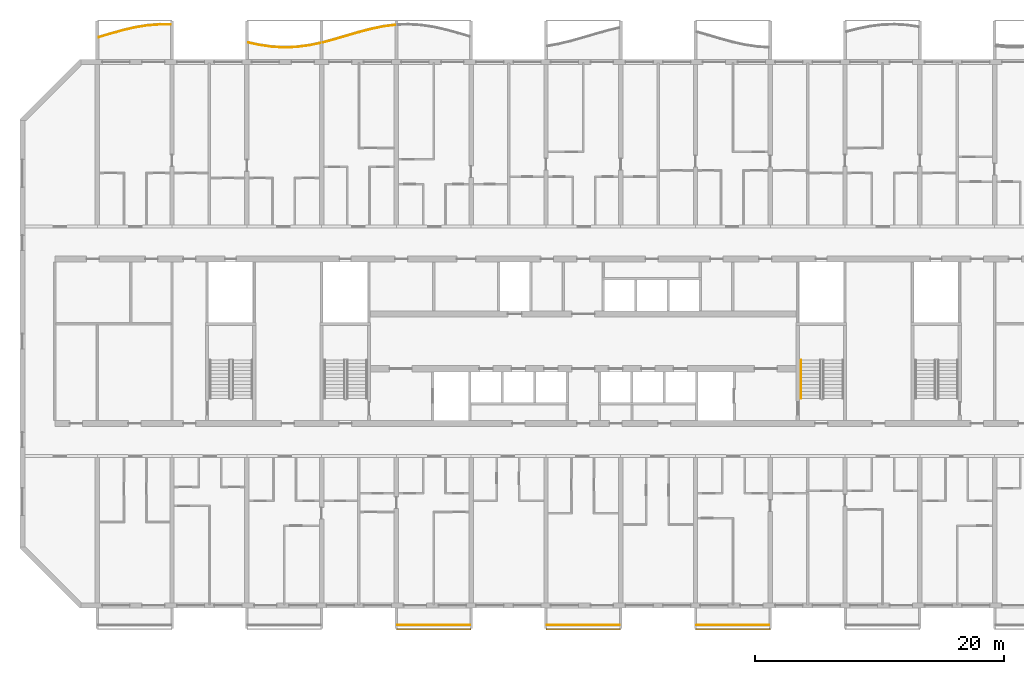
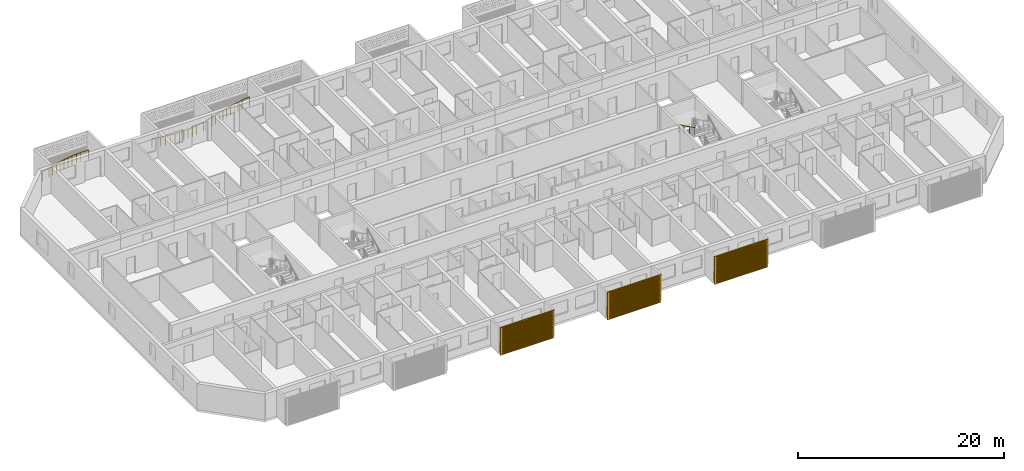
# One storey, part 19 of 25: 7 railings, 3 shading devices.
"""IFC4 building model written with IfcOpenShell, lengths in metres."""

from ifc_helpers import new_model, si_unit, direction, frame, origin, origin_2d, place, context, subcontext, project, spatial, polyline, circle, outline, extrude, source, transform, mapped, material, material_profile, profile_set, type_object, element, save


model = new_model("IFC4")

# Units and contexts
model_context = context("Model", 3, precision=1e-05, world=origin(), true_north=direction((0.0, 1.0)))
body_context = subcontext(model_context, "Body", "Model", "MODEL_VIEW")
ifc_project = project(units=[si_unit("LENGTHUNIT", "METRE"), si_unit("AREAUNIT", "SQUARE_METRE"), si_unit("VOLUMEUNIT", "CUBIC_METRE"), si_unit("PLANEANGLEUNIT", "RADIAN"), si_unit("MASSUNIT", "GRAM", prefix="KILO")], contexts=[model_context])

# Site, building, storey
site_placement = place(None, origin())
site = spatial("IfcSite", under=ifc_project, at=site_placement, CompositionType="ELEMENT")
building_placement = place(site_placement, origin())
building = spatial("IfcBuilding", under=site, at=building_placement, Name="Poui Terraces", CompositionType="ELEMENT")
storey_placement = place(building_placement, frame((0.0, 0.0, 89.39990234375)))
storey = spatial("IfcBuildingStorey", under=building, at=storey_placement, Name="L24", CompositionType="ELEMENT", Elevation=89.39990234375)

# Railings
ifc_material_1 = material(Name="Painted steel fretwork", Category="steel")
railing_type_1 = type_object("IfcRailingType", Name="BALCONY GUARD 1100", PredefinedType="GUARDRAIL", material=ifc_material_1)
railing_1_placement = place(storey_placement, frame((12.125, 45.595703125, 0.0)))
element("IfcRailing", 1, at=railing_1_placement, inside=storey, type_object=railing_type_1, Name="BALCONY GUARD", PredefinedType="GUARDRAIL", context=body_context, shape_type="SweptSolid", body=[
    extrude(circle(Radius=0.02392578125, at=origin_2d()), frame((0.0, 0.0, 1.076171875), z_axis=(0.958573864065, 0.28484407512, 0.0), x_axis=(-0.28484407512, 0.958573864065, 0.0)), (0.0, 0.0, 1.0), 0.912841796875),
    extrude(circle(Radius=0.02392578125, at=origin_2d()), frame((0.875, 0.260009765625, 1.076171875), z_axis=(0.962956694383, 0.269656086049, 0.0), x_axis=(-0.269656086049, 0.962956694383, 0.0)), (0.0, 0.0, 1.0), 1.03857421875),
    extrude(circle(Radius=0.02392578125, at=origin_2d()), frame((1.875, 0.5400390625, 1.076171875), z_axis=(0.973510598085, 0.228641893398, 0.0), x_axis=(-0.228641893398, 0.973510598085, 0.0)), (0.0, 0.0, 1.0), 1.027099609375),
    extrude(circle(Radius=0.02392578125, at=origin_2d()), frame((2.875, 0.77490234375, 1.076171875), z_axis=(0.986614372238, 0.163070783693, 0.0), x_axis=(-0.163070783693, 0.986614372238, 0.0)), (0.0, 0.0, 1.0), 1.013671875),
    extrude(circle(Radius=0.02392578125, at=origin_2d()), frame((3.875, 0.940185546875, 1.076171875), z_axis=(0.996905179889, 0.07861337234, 0.0), x_axis=(-0.07861337234, 0.996905179889, 0.0)), (0.0, 0.0, 1.0), 1.003173828125),
    extrude(circle(Radius=0.02392578125, at=origin_2d()), frame((4.875, 1.01904296875, 1.076171875), z_axis=(0.999949556392, -0.010044136169, 0.0), x_axis=(0.010044136169, 0.999949556392, 0.0)), (0.0, 0.0, 1.0), 0.875),
    extrude(circle(Radius=0.02099609375, at=origin_2d()), origin(), (0.0, 0.0, 1.0), 1.052001953125),
    extrude(circle(Radius=0.02099609375, at=origin_2d()), frame((0.875, 0.260009765625, 0.0)), (0.0, 0.0, 1.0), 1.052001953125),
    extrude(circle(Radius=0.02099609375, at=origin_2d()), frame((1.375, 0.39990234375, 0.0)), (0.0, 0.0, 1.0), 1.052001953125),
    extrude(circle(Radius=0.02099609375, at=origin_2d()), frame((1.875, 0.5400390625, 0.0)), (0.0, 0.0, 1.0), 1.052001953125),
    extrude(circle(Radius=0.02099609375, at=origin_2d()), frame((2.375, 0.657470703125, 0.0)), (0.0, 0.0, 1.0), 1.052001953125),
    extrude(circle(Radius=0.02099609375, at=origin_2d()), frame((2.875, 0.77490234375, 0.0)), (0.0, 0.0, 1.0), 1.052001953125),
    extrude(circle(Radius=0.02099609375, at=origin_2d()), frame((3.375, 0.857421875, 0.0)), (0.0, 0.0, 1.0), 1.052001953125),
    extrude(circle(Radius=0.02099609375, at=origin_2d()), frame((3.875, 0.940185546875, 0.0)), (0.0, 0.0, 1.0), 1.052001953125),
    extrude(circle(Radius=0.02099609375, at=origin_2d()), frame((4.375, 0.9794921875, 0.0)), (0.0, 0.0, 1.0), 1.052001953125),
    extrude(circle(Radius=0.02099609375, at=origin_2d()), frame((4.875, 1.01904296875, 0.0)), (0.0, 0.0, 1.0), 1.052001953125),
    extrude(circle(Radius=0.02099609375, at=origin_2d()), frame((5.75, 1.01025390625, 0.0)), (0.0, 0.0, 1.0), 1.052001953125),
])
railing_2_placement = place(storey_placement, frame((24.125, 45.159423828125, 0.0)))
element("IfcRailing", 2, at=railing_2_placement, inside=storey, type_object=railing_type_1, Name="BALCONY GUARD", PredefinedType="GUARDRAIL", context=body_context, shape_type="SweptSolid", body=[
    extrude(circle(Radius=0.02392578125, at=origin_2d()), frame((0.0, 0.0, 1.076171875), z_axis=(0.977522146276, -0.210832762018, 0.0), x_axis=(0.210832762018, 0.977522146276, 0.0)), (0.0, 0.0, 1.0), 0.89501953125),
    extrude(circle(Radius=0.02392578125, at=origin_2d()), frame((0.875, -0.188720703125, 1.076171875), z_axis=(0.989647671833, -0.143518241472, 0.0), x_axis=(0.143518241472, 0.989647671833, 0.0)), (0.0, 0.0, 1.0), 1.010498046875),
    extrude(circle(Radius=0.02392578125, at=origin_2d()), frame((1.875, -0.333740234375, 1.076171875), z_axis=(0.998467844587, -0.055335009942, 0.0), x_axis=(0.055335009942, 0.998467844587, 0.0)), (0.0, 0.0, 1.0), 1.00146484375),
    extrude(circle(Radius=0.02392578125, at=origin_2d()), frame((2.875, -0.38916015625, 1.076171875), z_axis=(0.99920912132, 0.03976344892, 0.0), x_axis=(-0.03976344892, 0.99920912132, 0.0)), (0.0, 0.0, 1.0), 1.000732421875),
    extrude(circle(Radius=0.02392578125, at=origin_2d()), frame((3.875, -0.349365234375, 1.076171875), z_axis=(0.991546329967, 0.129753133023, 0.0), x_axis=(-0.129753133023, 0.991546329967, 0.0)), (0.0, 0.0, 1.0), 1.008544921875),
    extrude(circle(Radius=0.02392578125, at=origin_2d()), frame((4.875, -0.218505859375, 1.076171875), z_axis=(0.979773441626, 0.200109977475, 0.0), x_axis=(-0.200109977475, 0.979773441626, 0.0)), (0.0, 0.0, 1.0), 0.89306640625),
    extrude(circle(Radius=0.02099609375, at=origin_2d()), origin(), (0.0, 0.0, 1.0), 1.052001953125),
    extrude(circle(Radius=0.02099609375, at=origin_2d()), frame((0.875, -0.188720703125, 0.0)), (0.0, 0.0, 1.0), 1.052001953125),
    extrude(circle(Radius=0.02099609375, at=origin_2d()), frame((1.375, -0.26123046875, 0.0)), (0.0, 0.0, 1.0), 1.052001953125),
    extrude(circle(Radius=0.02099609375, at=origin_2d()), frame((1.875, -0.333740234375, 0.0)), (0.0, 0.0, 1.0), 1.052001953125),
    extrude(circle(Radius=0.02099609375, at=origin_2d()), frame((2.375, -0.361328125, 0.0)), (0.0, 0.0, 1.0), 1.052001953125),
    extrude(circle(Radius=0.02099609375, at=origin_2d()), frame((2.875, -0.38916015625, 0.0)), (0.0, 0.0, 1.0), 1.052001953125),
    extrude(circle(Radius=0.02099609375, at=origin_2d()), frame((3.375, -0.369140625, 0.0)), (0.0, 0.0, 1.0), 1.052001953125),
    extrude(circle(Radius=0.02099609375, at=origin_2d()), frame((3.875, -0.349365234375, 0.0)), (0.0, 0.0, 1.0), 1.052001953125),
    extrude(circle(Radius=0.02099609375, at=origin_2d()), frame((4.375, -0.283935546875, 0.0)), (0.0, 0.0, 1.0), 1.052001953125),
    extrude(circle(Radius=0.02099609375, at=origin_2d()), frame((4.875, -0.218505859375, 0.0)), (0.0, 0.0, 1.0), 1.052001953125),
    extrude(circle(Radius=0.02099609375, at=origin_2d()), frame((5.75, -0.039794921875, 0.0)), (0.0, 0.0, 1.0), 1.052001953125),
])
railing_3_placement = place(storey_placement, frame((30.125, 45.1796875, 0.0)))
element("IfcRailing", 3, at=railing_3_placement, inside=storey, type_object=railing_type_1, Name="BALCONY GUARD", PredefinedType="GUARDRAIL", context=body_context, shape_type="SweptSolid", body=[
    extrude(circle(Radius=0.02392578125, at=origin_2d()), frame((0.0, 0.0, 1.076171875), z_axis=(0.966015382601, 0.258484584798, 0.0), x_axis=(-0.258484584798, 0.966015382601, 0.0)), (0.0, 0.0, 1.0), 0.90576171875),
    extrude(circle(Radius=0.02392578125, at=origin_2d()), frame((0.875, 0.234130859375, 1.076171875), z_axis=(0.959473602222, 0.281798521356, 0.0), x_axis=(-0.281798521356, 0.959473602222, 0.0)), (0.0, 0.0, 1.0), 1.042236328125),
    extrude(circle(Radius=0.02392578125, at=origin_2d()), frame((1.875, 0.52783203125, 1.076171875), z_axis=(0.959852890267, 0.280503884192, 0.0), x_axis=(-0.280503884192, 0.959852890267, 0.0)), (0.0, 0.0, 1.0), 1.041748046875),
    extrude(circle(Radius=0.02392578125, at=origin_2d()), frame((2.875, 0.820068359375, 1.076171875), z_axis=(0.967647370695, 0.252306492164, 0.0), x_axis=(-0.252306492164, 0.967647370695, 0.0)), (0.0, 0.0, 1.0), 1.033447265625),
    extrude(circle(Radius=0.02392578125, at=origin_2d()), frame((3.875, 1.080810546875, 1.076171875), z_axis=(0.980080566497, 0.198600310106, 0.0), x_axis=(-0.198600310106, 0.980080566497, 0.0)), (0.0, 0.0, 1.0), 1.020263671875),
    extrude(circle(Radius=0.02392578125, at=origin_2d()), frame((4.875, 1.283447265625, 1.076171875), z_axis=(0.991758595578, 0.128120599819, 0.0), x_axis=(-0.128120599819, 0.991758595578, 0.0)), (0.0, 0.0, 1.0), 0.88232421875),
    extrude(circle(Radius=0.02099609375, at=origin_2d()), origin(), (0.0, 0.0, 1.0), 1.052001953125),
    extrude(circle(Radius=0.02099609375, at=origin_2d()), frame((0.875, 0.234130859375, 0.0)), (0.0, 0.0, 1.0), 1.052001953125),
    extrude(circle(Radius=0.02099609375, at=origin_2d()), frame((1.375, 0.380859375, 0.0)), (0.0, 0.0, 1.0), 1.052001953125),
    extrude(circle(Radius=0.02099609375, at=origin_2d()), frame((1.875, 0.52783203125, 0.0)), (0.0, 0.0, 1.0), 1.052001953125),
    extrude(circle(Radius=0.02099609375, at=origin_2d()), frame((2.375, 0.673828125, 0.0)), (0.0, 0.0, 1.0), 1.052001953125),
    extrude(circle(Radius=0.02099609375, at=origin_2d()), frame((2.875, 0.820068359375, 0.0)), (0.0, 0.0, 1.0), 1.052001953125),
    extrude(circle(Radius=0.02099609375, at=origin_2d()), frame((3.375, 0.950439453125, 0.0)), (0.0, 0.0, 1.0), 1.052001953125),
    extrude(circle(Radius=0.02099609375, at=origin_2d()), frame((3.875, 1.080810546875, 0.0)), (0.0, 0.0, 1.0), 1.052001953125),
    extrude(circle(Radius=0.02099609375, at=origin_2d()), frame((4.375, 1.18212890625, 0.0)), (0.0, 0.0, 1.0), 1.052001953125),
    extrude(circle(Radius=0.02099609375, at=origin_2d()), frame((4.875, 1.283447265625, 0.0)), (0.0, 0.0, 1.0), 1.052001953125),
    extrude(circle(Radius=0.02099609375, at=origin_2d()), frame((5.75, 1.396484375, 0.0)), (0.0, 0.0, 1.0), 1.052001953125),
])
for number, where, name in (
    (4, (36.10009765625, -1.570068359375, 0.0), "BALCONY GUARD"),
    (5, (48.10009765625, -1.570068359375, 0.0), "BALCONY GUARD"),
    (6, (60.10009765625, -1.570068359375, 0.0), "BALCONY GUARD"),
):
    element("IfcRailing", number, at=place(storey_placement, frame(where)), inside=storey, type_object=railing_type_1, Name=name, PredefinedType="GUARDRAIL", context=body_context, shape_type="SweptSolid", body=[
        extrude(circle(Radius=0.02392578125, at=origin_2d()), frame((0.0, 0.0, 1.076171875), z_axis=(1.0, 0.0, 0.0), x_axis=(0.0, 1.0, 0.0)), (0.0, 0.0, 1.0), 5.7998046875),
        extrude(circle(Radius=0.02099609375, at=origin_2d()), origin(), (0.0, 0.0, 1.0), 1.052001953125),
        extrude(circle(Radius=0.02099609375, at=origin_2d()), frame((0.966552734375, 0.0, 0.0)), (0.0, 0.0, 1.0), 1.052001953125),
        extrude(circle(Radius=0.02099609375, at=origin_2d()), frame((1.933349609375, 0.0, 0.0)), (0.0, 0.0, 1.0), 1.052001953125),
        extrude(circle(Radius=0.02099609375, at=origin_2d()), frame((2.89990234375, 0.0, 0.0)), (0.0, 0.0, 1.0), 1.052001953125),
        extrude(circle(Radius=0.02099609375, at=origin_2d()), frame((3.866455078125, 0.0, 0.0)), (0.0, 0.0, 1.0), 1.052001953125),
        extrude(circle(Radius=0.02099609375, at=origin_2d()), frame((4.833251953125, 0.0, 0.0)), (0.0, 0.0, 1.0), 1.052001953125),
        extrude(circle(Radius=0.02099609375, at=origin_2d()), frame((5.7998046875, 0.0, 0.0)), (0.0, 0.0, 1.0), 1.052001953125),
    ])
ifc_material_2 = material(Name="Stainless steel handrail", Category="steel")
railing_type_2 = type_object("IfcRailingType", Name="STAIR HANDRAIL 900", PredefinedType="HANDRAIL", material=ifc_material_2)
railing_4_placement = place(storey_placement, frame((68.47509765625, 19.679931640625, 1.78759765625)))
element("IfcRailing", 7, at=railing_4_placement, inside=storey, type_object=railing_type_2, Name="L24 ST-CE stair handrail 2", PredefinedType="HANDRAIL", context=body_context, shape_type="SweptSolid", body=[
    extrude(circle(Radius=0.02392578125, at=origin_2d()), frame((0.0, 0.0, 0.8759765625), z_axis=(0.0, -0.897606190399, 0.440798283751), x_axis=(1.0, 0.0, 0.0)), (0.0, 0.0, 1.0), 3.43115234375),
    extrude(circle(Radius=0.02099609375, at=origin_2d()), origin(), (0.0, 0.0, 1.0), 0.851806640625),
    extrude(circle(Radius=0.02099609375, at=origin_2d()), frame((0.0, -1.026611328125, 0.504150390625)), (0.0, 0.0, 1.0), 0.851806640625),
    extrude(circle(Radius=0.02099609375, at=origin_2d()), frame((0.0, -2.05322265625, 1.00830078125)), (0.0, 0.0, 1.0), 0.851806640625),
    extrude(circle(Radius=0.02099609375, at=origin_2d()), frame((0.0, -3.079833984375, 1.512451171875)), (0.0, 0.0, 1.0), 0.851806640625),
])

# Shading devices
ifc_material_3 = material(Name="Aluminium louvre", Category="aluminium")
ifc_material_profile = material_profile(ifc_material_3, outline(polyline([(-3.0, -1.64990234375), (3.0, -1.64990234375), (3.0, 1.64990234375), (-3.0, 1.64990234375), (-3.0, -1.64990234375)]), holes=[polyline([(-2.800048828125, -1.530029296875), (2.800048828125, -1.530029296875), (2.800048828125, -1.469970703125), (-2.800048828125, -1.469970703125), (-2.800048828125, -1.530029296875)]), polyline([(-2.800048828125, -1.429931640625), (2.800048828125, -1.429931640625), (2.800048828125, -1.3701171875), (-2.800048828125, -1.3701171875), (-2.800048828125, -1.429931640625)]), polyline([(-2.800048828125, -1.330078125), (2.800048828125, -1.330078125), (2.800048828125, -1.27001953125), (-2.800048828125, -1.27001953125), (-2.800048828125, -1.330078125)]), polyline([(-2.800048828125, -1.22998046875), (2.800048828125, -1.22998046875), (2.800048828125, -1.169921875), (-2.800048828125, -1.169921875), (-2.800048828125, -1.22998046875)]), polyline([(-2.800048828125, -1.1298828125), (2.800048828125, -1.1298828125), (2.800048828125, -1.070068359375), (-2.800048828125, -1.070068359375), (-2.800048828125, -1.1298828125)]), polyline([(-2.800048828125, -1.030029296875), (2.800048828125, -1.030029296875), (2.800048828125, -0.969970703125), (-2.800048828125, -0.969970703125), (-2.800048828125, -1.030029296875)]), polyline([(-2.800048828125, -0.929931640625), (2.800048828125, -0.929931640625), (2.800048828125, -0.8701171875), (-2.800048828125, -0.8701171875), (-2.800048828125, -0.929931640625)]), polyline([(-2.800048828125, -0.830078125), (2.800048828125, -0.830078125), (2.800048828125, -0.77001953125), (-2.800048828125, -0.77001953125), (-2.800048828125, -0.830078125)]), polyline([(-2.800048828125, -0.72998046875), (2.800048828125, -0.72998046875), (2.800048828125, -0.669921875), (-2.800048828125, -0.669921875), (-2.800048828125, -0.72998046875)]), polyline([(-2.800048828125, -0.6298828125), (2.800048828125, -0.6298828125), (2.800048828125, -0.570068359375), (-2.800048828125, -0.570068359375), (-2.800048828125, -0.6298828125)]), polyline([(-2.800048828125, -0.530029296875), (2.800048828125, -0.530029296875), (2.800048828125, -0.469970703125), (-2.800048828125, -0.469970703125), (-2.800048828125, -0.530029296875)]), polyline([(-2.800048828125, -0.429931640625), (2.800048828125, -0.429931640625), (2.800048828125, -0.3701171875), (-2.800048828125, -0.3701171875), (-2.800048828125, -0.429931640625)]), polyline([(-2.800048828125, -0.330078125), (2.800048828125, -0.330078125), (2.800048828125, -0.27001953125), (-2.800048828125, -0.27001953125), (-2.800048828125, -0.330078125)]), polyline([(-2.800048828125, -0.22998046875), (2.800048828125, -0.22998046875), (2.800048828125, -0.169921875), (-2.800048828125, -0.169921875), (-2.800048828125, -0.22998046875)]), polyline([(-2.800048828125, -0.1298828125), (2.800048828125, -0.1298828125), (2.800048828125, -0.070068359375), (-2.800048828125, -0.070068359375), (-2.800048828125, -0.1298828125)]), polyline([(-2.800048828125, -0.030029296875), (2.800048828125, -0.030029296875), (2.800048828125, 0.030029296875), (-2.800048828125, 0.030029296875), (-2.800048828125, -0.030029296875)]), polyline([(-2.800048828125, 0.070068359375), (2.800048828125, 0.070068359375), (2.800048828125, 0.1298828125), (-2.800048828125, 0.1298828125), (-2.800048828125, 0.070068359375)]), polyline([(-2.800048828125, 0.169921875), (2.800048828125, 0.169921875), (2.800048828125, 0.22998046875), (-2.800048828125, 0.22998046875), (-2.800048828125, 0.169921875)]), polyline([(-2.800048828125, 0.27001953125), (2.800048828125, 0.27001953125), (2.800048828125, 0.330078125), (-2.800048828125, 0.330078125), (-2.800048828125, 0.27001953125)]), polyline([(-2.800048828125, 0.3701171875), (2.800048828125, 0.3701171875), (2.800048828125, 0.429931640625), (-2.800048828125, 0.429931640625), (-2.800048828125, 0.3701171875)]), polyline([(-2.800048828125, 0.469970703125), (2.800048828125, 0.469970703125), (2.800048828125, 0.530029296875), (-2.800048828125, 0.530029296875), (-2.800048828125, 0.469970703125)]), polyline([(-2.800048828125, 0.570068359375), (2.800048828125, 0.570068359375), (2.800048828125, 0.6298828125), (-2.800048828125, 0.6298828125), (-2.800048828125, 0.570068359375)]), polyline([(-2.800048828125, 0.669921875), (2.800048828125, 0.669921875), (2.800048828125, 0.72998046875), (-2.800048828125, 0.72998046875), (-2.800048828125, 0.669921875)]), polyline([(-2.800048828125, 0.77001953125), (2.800048828125, 0.77001953125), (2.800048828125, 0.830078125), (-2.800048828125, 0.830078125), (-2.800048828125, 0.77001953125)]), polyline([(-2.800048828125, 0.8701171875), (2.800048828125, 0.8701171875), (2.800048828125, 0.929931640625), (-2.800048828125, 0.929931640625), (-2.800048828125, 0.8701171875)]), polyline([(-2.800048828125, 0.969970703125), (2.800048828125, 0.969970703125), (2.800048828125, 1.030029296875), (-2.800048828125, 1.030029296875), (-2.800048828125, 0.969970703125)]), polyline([(-2.800048828125, 1.070068359375), (2.800048828125, 1.070068359375), (2.800048828125, 1.1298828125), (-2.800048828125, 1.1298828125), (-2.800048828125, 1.070068359375)]), polyline([(-2.800048828125, 1.169921875), (2.800048828125, 1.169921875), (2.800048828125, 1.22998046875), (-2.800048828125, 1.22998046875), (-2.800048828125, 1.169921875)]), polyline([(-2.800048828125, 1.27001953125), (2.800048828125, 1.27001953125), (2.800048828125, 1.330078125), (-2.800048828125, 1.330078125), (-2.800048828125, 1.27001953125)]), polyline([(-2.800048828125, 1.3701171875), (2.800048828125, 1.3701171875), (2.800048828125, 1.429931640625), (-2.800048828125, 1.429931640625), (-2.800048828125, 1.3701171875)]), polyline([(-2.800048828125, 1.469970703125), (2.800048828125, 1.469970703125), (2.800048828125, 1.530029296875), (-2.800048828125, 1.530029296875), (-2.800048828125, 1.469970703125)])]), Name="JALOUSIE LOUVRE SHUTTER 6000X3300")
ifc_profile_set = profile_set([ifc_material_profile], Name="Aluminium louvre")
shading_device_type = type_object("IfcShadingDeviceType", Name="JALOUSIE LOUVRE SHUTTER 6000X3300", PredefinedType="JALOUSIE", material=ifc_profile_set)
shared_shape = source(origin(), body_context, "Body", "SweptSolid", [
    extrude(outline(polyline([(-3.0, -1.64990234375), (3.0, -1.64990234375), (3.0, 1.64990234375), (-3.0, 1.64990234375), (-3.0, -1.64990234375)]), holes=[polyline([(-2.800048828125, -1.530029296875), (2.800048828125, -1.530029296875), (2.800048828125, -1.469970703125), (-2.800048828125, -1.469970703125), (-2.800048828125, -1.530029296875)]), polyline([(-2.800048828125, -1.429931640625), (2.800048828125, -1.429931640625), (2.800048828125, -1.3701171875), (-2.800048828125, -1.3701171875), (-2.800048828125, -1.429931640625)]), polyline([(-2.800048828125, -1.330078125), (2.800048828125, -1.330078125), (2.800048828125, -1.27001953125), (-2.800048828125, -1.27001953125), (-2.800048828125, -1.330078125)]), polyline([(-2.800048828125, -1.22998046875), (2.800048828125, -1.22998046875), (2.800048828125, -1.169921875), (-2.800048828125, -1.169921875), (-2.800048828125, -1.22998046875)]), polyline([(-2.800048828125, -1.1298828125), (2.800048828125, -1.1298828125), (2.800048828125, -1.070068359375), (-2.800048828125, -1.070068359375), (-2.800048828125, -1.1298828125)]), polyline([(-2.800048828125, -1.030029296875), (2.800048828125, -1.030029296875), (2.800048828125, -0.969970703125), (-2.800048828125, -0.969970703125), (-2.800048828125, -1.030029296875)]), polyline([(-2.800048828125, -0.929931640625), (2.800048828125, -0.929931640625), (2.800048828125, -0.8701171875), (-2.800048828125, -0.8701171875), (-2.800048828125, -0.929931640625)]), polyline([(-2.800048828125, -0.830078125), (2.800048828125, -0.830078125), (2.800048828125, -0.77001953125), (-2.800048828125, -0.77001953125), (-2.800048828125, -0.830078125)]), polyline([(-2.800048828125, -0.72998046875), (2.800048828125, -0.72998046875), (2.800048828125, -0.669921875), (-2.800048828125, -0.669921875), (-2.800048828125, -0.72998046875)]), polyline([(-2.800048828125, -0.6298828125), (2.800048828125, -0.6298828125), (2.800048828125, -0.570068359375), (-2.800048828125, -0.570068359375), (-2.800048828125, -0.6298828125)]), polyline([(-2.800048828125, -0.530029296875), (2.800048828125, -0.530029296875), (2.800048828125, -0.469970703125), (-2.800048828125, -0.469970703125), (-2.800048828125, -0.530029296875)]), polyline([(-2.800048828125, -0.429931640625), (2.800048828125, -0.429931640625), (2.800048828125, -0.3701171875), (-2.800048828125, -0.3701171875), (-2.800048828125, -0.429931640625)]), polyline([(-2.800048828125, -0.330078125), (2.800048828125, -0.330078125), (2.800048828125, -0.27001953125), (-2.800048828125, -0.27001953125), (-2.800048828125, -0.330078125)]), polyline([(-2.800048828125, -0.22998046875), (2.800048828125, -0.22998046875), (2.800048828125, -0.169921875), (-2.800048828125, -0.169921875), (-2.800048828125, -0.22998046875)]), polyline([(-2.800048828125, -0.1298828125), (2.800048828125, -0.1298828125), (2.800048828125, -0.070068359375), (-2.800048828125, -0.070068359375), (-2.800048828125, -0.1298828125)]), polyline([(-2.800048828125, -0.030029296875), (2.800048828125, -0.030029296875), (2.800048828125, 0.030029296875), (-2.800048828125, 0.030029296875), (-2.800048828125, -0.030029296875)]), polyline([(-2.800048828125, 0.070068359375), (2.800048828125, 0.070068359375), (2.800048828125, 0.1298828125), (-2.800048828125, 0.1298828125), (-2.800048828125, 0.070068359375)]), polyline([(-2.800048828125, 0.169921875), (2.800048828125, 0.169921875), (2.800048828125, 0.22998046875), (-2.800048828125, 0.22998046875), (-2.800048828125, 0.169921875)]), polyline([(-2.800048828125, 0.27001953125), (2.800048828125, 0.27001953125), (2.800048828125, 0.330078125), (-2.800048828125, 0.330078125), (-2.800048828125, 0.27001953125)]), polyline([(-2.800048828125, 0.3701171875), (2.800048828125, 0.3701171875), (2.800048828125, 0.429931640625), (-2.800048828125, 0.429931640625), (-2.800048828125, 0.3701171875)]), polyline([(-2.800048828125, 0.469970703125), (2.800048828125, 0.469970703125), (2.800048828125, 0.530029296875), (-2.800048828125, 0.530029296875), (-2.800048828125, 0.469970703125)]), polyline([(-2.800048828125, 0.570068359375), (2.800048828125, 0.570068359375), (2.800048828125, 0.6298828125), (-2.800048828125, 0.6298828125), (-2.800048828125, 0.570068359375)]), polyline([(-2.800048828125, 0.669921875), (2.800048828125, 0.669921875), (2.800048828125, 0.72998046875), (-2.800048828125, 0.72998046875), (-2.800048828125, 0.669921875)]), polyline([(-2.800048828125, 0.77001953125), (2.800048828125, 0.77001953125), (2.800048828125, 0.830078125), (-2.800048828125, 0.830078125), (-2.800048828125, 0.77001953125)]), polyline([(-2.800048828125, 0.8701171875), (2.800048828125, 0.8701171875), (2.800048828125, 0.929931640625), (-2.800048828125, 0.929931640625), (-2.800048828125, 0.8701171875)]), polyline([(-2.800048828125, 0.969970703125), (2.800048828125, 0.969970703125), (2.800048828125, 1.030029296875), (-2.800048828125, 1.030029296875), (-2.800048828125, 0.969970703125)]), polyline([(-2.800048828125, 1.070068359375), (2.800048828125, 1.070068359375), (2.800048828125, 1.1298828125), (-2.800048828125, 1.1298828125), (-2.800048828125, 1.070068359375)]), polyline([(-2.800048828125, 1.169921875), (2.800048828125, 1.169921875), (2.800048828125, 1.22998046875), (-2.800048828125, 1.22998046875), (-2.800048828125, 1.169921875)]), polyline([(-2.800048828125, 1.27001953125), (2.800048828125, 1.27001953125), (2.800048828125, 1.330078125), (-2.800048828125, 1.330078125), (-2.800048828125, 1.27001953125)]), polyline([(-2.800048828125, 1.3701171875), (2.800048828125, 1.3701171875), (2.800048828125, 1.429931640625), (-2.800048828125, 1.429931640625), (-2.800048828125, 1.3701171875)]), polyline([(-2.800048828125, 1.469970703125), (2.800048828125, 1.469970703125), (2.800048828125, 1.530029296875), (-2.800048828125, 1.530029296875), (-2.800048828125, 1.469970703125)])]), origin(), (0.0, 0.0, 1.0), 0.099853515625),
])
for number, where, z_axis, x_axis, name in (
    (8, (39.0, -1.85009765625, 1.4501953125), (0.0, -1.0, 0.0), (1.0, 0.0, 0.0), "JALOUSIE LOUVRE SHUTTER"),
    (9, (51.0, -1.85009765625, 1.4501953125), (0.0, -1.0, 0.0), (1.0, 0.0, 0.0), "JALOUSIE LOUVRE SHUTTER"),
    (10, (63.0, -1.85009765625, 1.4501953125), (0.0, -1.0, 0.0), (1.0, 0.0, 0.0), "JALOUSIE LOUVRE SHUTTER"),
):
    element("IfcShadingDevice", number, at=place(storey_placement, frame(where, z_axis=z_axis, x_axis=x_axis)), inside=storey, type_object=shading_device_type, Name=name, PredefinedType="JALOUSIE", context=body_context, shape_type="MappedRepresentation", body=[
        mapped(shared_shape, transform((0.0, 0.0, 0.0))),
    ])

save(model, "model.ifc")
